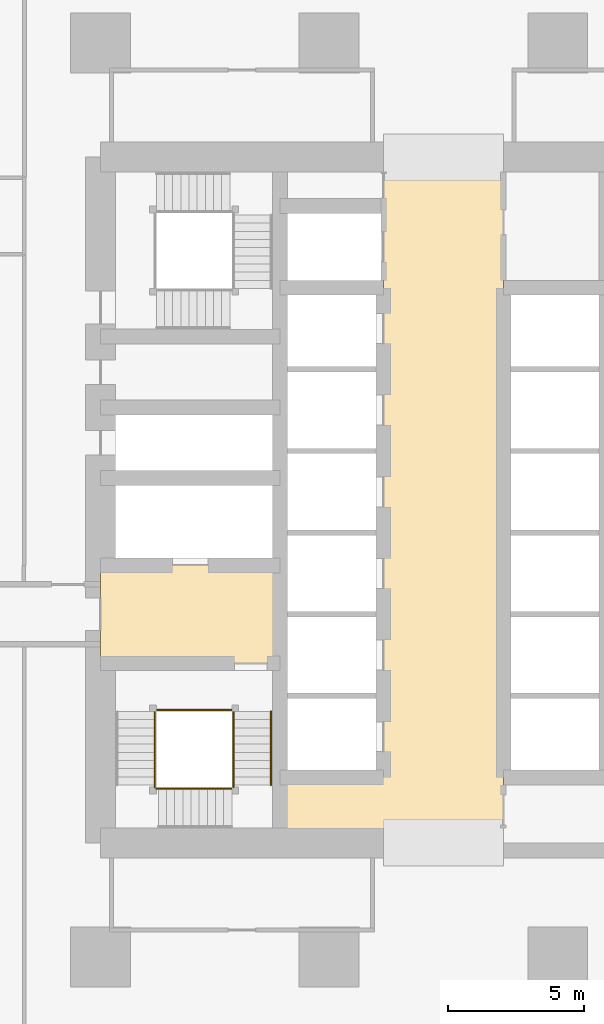
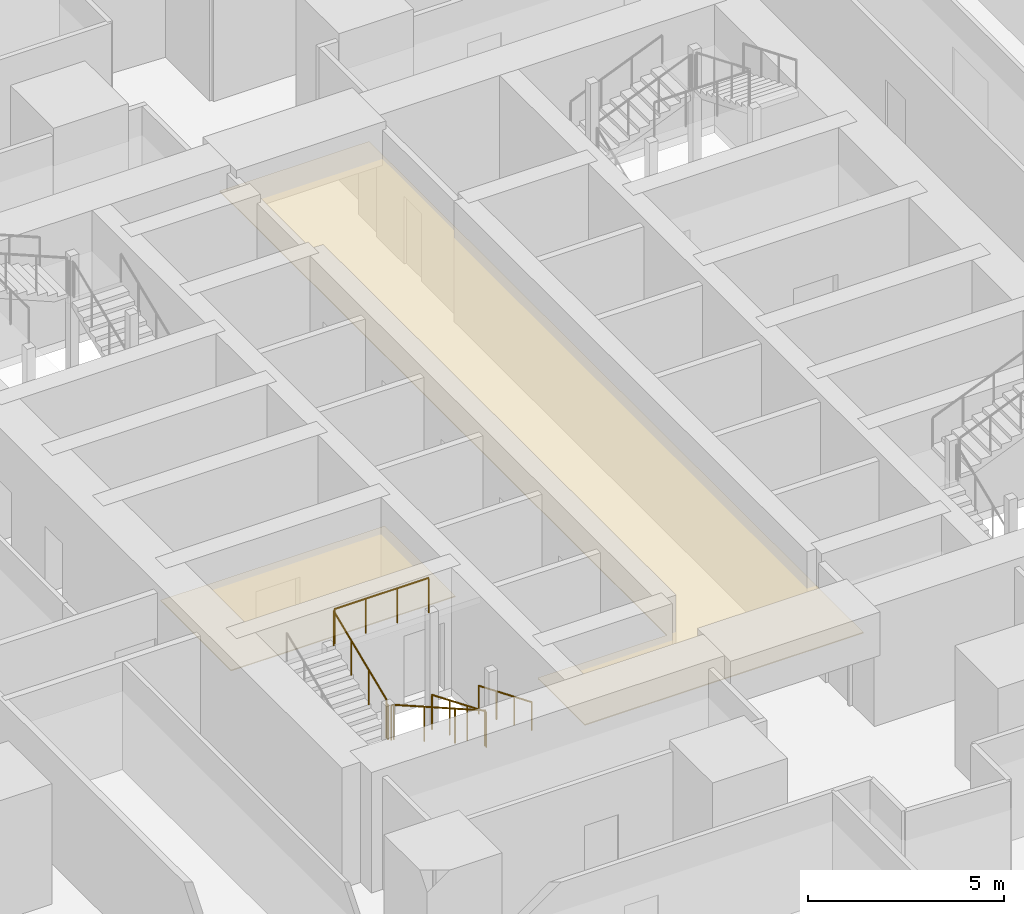
# One storey, part 35 of 42: 8 railings, 2 coverings.
"""IFC4 building model written with IfcOpenShell, lengths in metres."""

from ifc_helpers import new_model, si_unit, direction, frame, origin, origin_2d, place, context, subcontext, project, spatial, polyline, circle, outline, extrude, material, layer, layer_set, type_object, element, save


model = new_model("IFC4")

# Units and contexts
model_context = context("Model", 3, precision=1e-05, world=origin(), true_north=direction((0.0, 1.0)))
body_context = subcontext(model_context, "Body", "Model", "MODEL_VIEW")
ifc_project = project(units=[si_unit("LENGTHUNIT", "METRE"), si_unit("AREAUNIT", "SQUARE_METRE"), si_unit("VOLUMEUNIT", "CUBIC_METRE"), si_unit("PLANEANGLEUNIT", "RADIAN"), si_unit("MASSUNIT", "GRAM", prefix="KILO")], contexts=[model_context])

# Site, building, storey
site_placement = place(None, origin())
site = spatial("IfcSite", under=ifc_project, at=site_placement, CompositionType="ELEMENT")
building_placement = place(site_placement, origin())
building = spatial("IfcBuilding", under=site, at=building_placement, Name="Rekha Terrace Tower", CompositionType="ELEMENT")
storey_placement = place(building_placement, frame((0.0, 0.0, 55.39990234375)))
storey = spatial("IfcBuildingStorey", under=building, at=storey_placement, Name="L13", CompositionType="ELEMENT", Elevation=55.39990234375)

# Coverings
ifc_material_1 = material(Name="Powder-coated aluminium pan", Category="aluminium")
ifc_layer = layer(ifc_material_1, 0.030029296875)
ifc_layer_set = layer_set([ifc_layer], Name="Powder-coated aluminium pan")
covering_type = type_object("IfcCoveringType", Name="CL3 300x1200 metal pan ceiling", PredefinedType="CEILING", material=ifc_layer_set)
covering_1_placement = place(storey_placement, frame((0.0, 0.0, 2.570068359375)))
element("IfcCovering", 1, at=covering_1_placement, inside=storey, type_object=covering_type, Name="Ceiling L13-LOBBY", PredefinedType="CEILING", context=body_context, shape_type="SweptSolid", body=[
    extrude(outline(polyline([(35.60009765625, 46.199951171875), (35.60009765625, 23.39990234375), (31.800048828125, 23.39990234375), (31.800048828125, 21.0), (40.0, 21.0), (40.0, 46.199951171875), (35.60009765625, 46.199951171875)])), origin(), (0.0, 0.0, 1.0), 0.030029296875),
])
covering_2_placement = place(storey_placement, frame((0.0, 0.0, 2.570068359375)))
element("IfcCovering", 2, at=covering_2_placement, inside=storey, type_object=covering_type, Name="Ceiling L13-FLB1", PredefinedType="CEILING", context=body_context, shape_type="SweptSolid", body=[
    extrude(outline(polyline([(31.800048828125, 31.199951171875), (25.199951171875, 31.199951171875), (25.199951171875, 27.60009765625), (31.800048828125, 27.60009765625), (31.800048828125, 31.199951171875)])), origin(), (0.0, 0.0, 1.0), 0.030029296875),
])

# Railings
ifc_material_2 = material(Name="Stainless steel balustrade", Category="steel")
railing_type_1 = type_object("IfcRailingType", Name="GR1 1100 stair guard", PredefinedType="GUARDRAIL", material=ifc_material_2)
railing_1_placement = place(storey_placement, frame((30.0849609375, 25.824951171875, 0.125)))
element("IfcRailing", 3, at=railing_1_placement, inside=storey, type_object=railing_type_1, Name="Guard ST1 L13 flight 1", PredefinedType="GUARDRAIL", context=body_context, shape_type="SweptSolid", body=[
    extrude(circle(Radius=0.02392578125, at=origin_2d()), frame((0.0, 0.0, 1.076171875), z_axis=(0.0, -0.923074453586, 0.384621311341), x_axis=(1.0, 0.0, 0.0)), (0.0, 0.0, 1.0), 2.925048828125),
    extrude(circle(Radius=0.02099609375, at=origin_2d()), origin(), (0.0, 0.0, 1.0), 1.052001953125),
    extrude(circle(Radius=0.02099609375, at=origin_2d()), frame((0.0, -0.89990234375, 0.375)), (0.0, 0.0, 1.0), 1.052001953125),
    extrude(circle(Radius=0.02099609375, at=origin_2d()), frame((0.0, -1.800048828125, 0.75)), (0.0, 0.0, 1.0), 1.052001953125),
    extrude(circle(Radius=0.02099609375, at=origin_2d()), frame((0.0, -2.699951171875, 1.125)), (0.0, 0.0, 1.0), 1.052001953125),
])
railing_2_placement = place(storey_placement, frame((30.02490234375, 22.989990234375, 1.375)))
element("IfcRailing", 4, at=railing_2_placement, inside=storey, type_object=railing_type_1, Name="Guard ST1 L13 flight 2", PredefinedType="GUARDRAIL", context=body_context, shape_type="SweptSolid", body=[
    extrude(circle(Radius=0.02392578125, at=origin_2d()), frame((0.0, 0.0, 1.076171875), z_axis=(-0.923074453586, 0.0, 0.384621311341), x_axis=(0.0, -1.0, 0.0)), (0.0, 0.0, 1.0), 2.925048828125),
    extrude(circle(Radius=0.02099609375, at=origin_2d()), origin(), (0.0, 0.0, 1.0), 1.052001953125),
    extrude(circle(Radius=0.02099609375, at=origin_2d()), frame((-0.89990234375, 0.0, 0.375)), (0.0, 0.0, 1.0), 1.052001953125),
    extrude(circle(Radius=0.02099609375, at=origin_2d()), frame((-1.800048828125, 0.0, 0.75)), (0.0, 0.0, 1.0), 1.052001953125),
    extrude(circle(Radius=0.02099609375, at=origin_2d()), frame((-2.699951171875, 0.0, 1.125)), (0.0, 0.0, 1.0), 1.052001953125),
])
railing_3_placement = place(storey_placement, frame((27.18994140625, 23.125, 2.625)))
element("IfcRailing", 5, at=railing_3_placement, inside=storey, type_object=railing_type_1, Name="Guard ST1 L13 flight 3", PredefinedType="GUARDRAIL", context=body_context, shape_type="SweptSolid", body=[
    extrude(circle(Radius=0.02392578125, at=origin_2d()), frame((0.0, 0.0, 1.076171875), z_axis=(0.0, 0.923074453586, 0.384621311341), x_axis=(-1.0, 0.0, 0.0)), (0.0, 0.0, 1.0), 2.925048828125),
    extrude(circle(Radius=0.02099609375, at=origin_2d()), origin(), (0.0, 0.0, 1.0), 1.052001953125),
    extrude(circle(Radius=0.02099609375, at=origin_2d()), frame((0.0, 0.89990234375, 0.375)), (0.0, 0.0, 1.0), 1.052001953125),
    extrude(circle(Radius=0.02099609375, at=origin_2d()), frame((0.0, 1.800048828125, 0.75)), (0.0, 0.0, 1.0), 1.052001953125),
    extrude(circle(Radius=0.02099609375, at=origin_2d()), frame((0.0, 2.699951171875, 1.125)), (0.0, 0.0, 1.0), 1.052001953125),
])
railing_4_placement = place(storey_placement, frame((30.0849609375, 23.125, 1.25)))
element("IfcRailing", 6, at=railing_4_placement, inside=storey, type_object=railing_type_1, Name="Guard ST1 L13 landing 1", PredefinedType="GUARDRAIL", context=body_context, shape_type="SweptSolid", body=[
    extrude(circle(Radius=0.02392578125, at=origin_2d()), frame((0.0, 0.0, 1.076171875), z_axis=(0.0, -1.0, 0.0), x_axis=(1.0, 0.0, 0.0)), (0.0, 0.0, 1.0), 0.074951171875),
    extrude(circle(Radius=0.02099609375, at=origin_2d()), origin(), (0.0, 0.0, 1.0), 1.052001953125),
    extrude(circle(Radius=0.02099609375, at=origin_2d()), frame((0.0, -0.074951171875, 0.0)), (0.0, 0.0, 1.0), 1.052001953125),
])
railing_5_placement = place(storey_placement, frame((27.324951171875, 22.989990234375, 2.5)))
element("IfcRailing", 7, at=railing_5_placement, inside=storey, type_object=railing_type_1, Name="Guard ST1 L13 landing 2", PredefinedType="GUARDRAIL", context=body_context, shape_type="SweptSolid", body=[
    extrude(circle(Radius=0.02392578125, at=origin_2d()), frame((0.0, 0.0, 1.076171875), z_axis=(-1.0, 0.0, 0.0), x_axis=(0.0, -1.0, 0.0)), (0.0, 0.0, 1.0), 0.074951171875),
    extrude(circle(Radius=0.02099609375, at=origin_2d()), origin(), (0.0, 0.0, 1.0), 1.052001953125),
    extrude(circle(Radius=0.02099609375, at=origin_2d()), frame((-0.074951171875, 0.0, 0.0)), (0.0, 0.0, 1.0), 1.052001953125),
])
railing_6_placement = place(storey_placement, frame((27.18994140625, 23.125, 2.5)))
element("IfcRailing", 8, at=railing_6_placement, inside=storey, type_object=railing_type_1, Name="Guard ST1 L13 landing 3", PredefinedType="GUARDRAIL", context=body_context, shape_type="SweptSolid", body=[
    extrude(circle(Radius=0.02392578125, at=origin_2d()), frame((0.0, 0.0, 1.076171875), z_axis=(0.0, -1.0, 0.0), x_axis=(1.0, 0.0, 0.0)), (0.0, 0.0, 1.0), 0.074951171875),
    extrude(circle(Radius=0.02099609375, at=origin_2d()), origin(), (0.0, 0.0, 1.0), 1.052001953125),
    extrude(circle(Radius=0.02099609375, at=origin_2d()), frame((0.0, -0.074951171875, 0.0)), (0.0, 0.0, 1.0), 1.052001953125),
])
railing_7_placement = place(storey_placement, frame((30.02490234375, 25.885009765625, 3.75)))
element("IfcRailing", 9, at=railing_7_placement, inside=storey, type_object=railing_type_1, Name="Guard ST1 L13 landing 4", PredefinedType="GUARDRAIL", context=body_context, shape_type="SweptSolid", body=[
    extrude(circle(Radius=0.02392578125, at=origin_2d()), frame((0.0, 0.0, 1.076171875), z_axis=(-1.0, 0.0, 0.0), x_axis=(0.0, -1.0, 0.0)), (0.0, 0.0, 1.0), 2.77490234375),
    extrude(circle(Radius=0.02099609375, at=origin_2d()), origin(), (0.0, 0.0, 1.0), 1.052001953125),
    extrude(circle(Radius=0.02099609375, at=origin_2d()), frame((-0.925048828125, 0.0, 0.0)), (0.0, 0.0, 1.0), 1.052001953125),
    extrude(circle(Radius=0.02099609375, at=origin_2d()), frame((-1.849853515625, 0.0, 0.0)), (0.0, 0.0, 1.0), 1.052001953125),
    extrude(circle(Radius=0.02099609375, at=origin_2d()), frame((-2.77490234375, 0.0, 0.0)), (0.0, 0.0, 1.0), 1.052001953125),
])
ifc_material_3 = material(Name="Stainless steel tube", Category="steel")
railing_type_2 = type_object("IfcRailingType", Name="HR1 900 stair handrail", PredefinedType="HANDRAIL", material=ifc_material_3)
railing_8_placement = place(storey_placement, frame((31.465087890625, 25.824951171875, 0.125)))
element("IfcRailing", 10, at=railing_8_placement, inside=storey, type_object=railing_type_2, Name="Handrail ST1 L13 flight 1", PredefinedType="HANDRAIL", context=body_context, shape_type="SweptSolid", body=[
    extrude(circle(Radius=0.02392578125, at=origin_2d()), frame((0.0, 0.0, 0.8759765625), z_axis=(0.0, -0.923074453586, 0.384621311341), x_axis=(1.0, 0.0, 0.0)), (0.0, 0.0, 1.0), 2.925048828125),
    extrude(circle(Radius=0.02099609375, at=origin_2d()), origin(), (0.0, 0.0, 1.0), 0.851806640625),
    extrude(circle(Radius=0.02099609375, at=origin_2d()), frame((0.0, -0.89990234375, 0.375)), (0.0, 0.0, 1.0), 0.851806640625),
    extrude(circle(Radius=0.02099609375, at=origin_2d()), frame((0.0, -1.800048828125, 0.75)), (0.0, 0.0, 1.0), 0.851806640625),
    extrude(circle(Radius=0.02099609375, at=origin_2d()), frame((0.0, -2.699951171875, 1.125)), (0.0, 0.0, 1.0), 0.851806640625),
])

save(model, "model.ifc")
